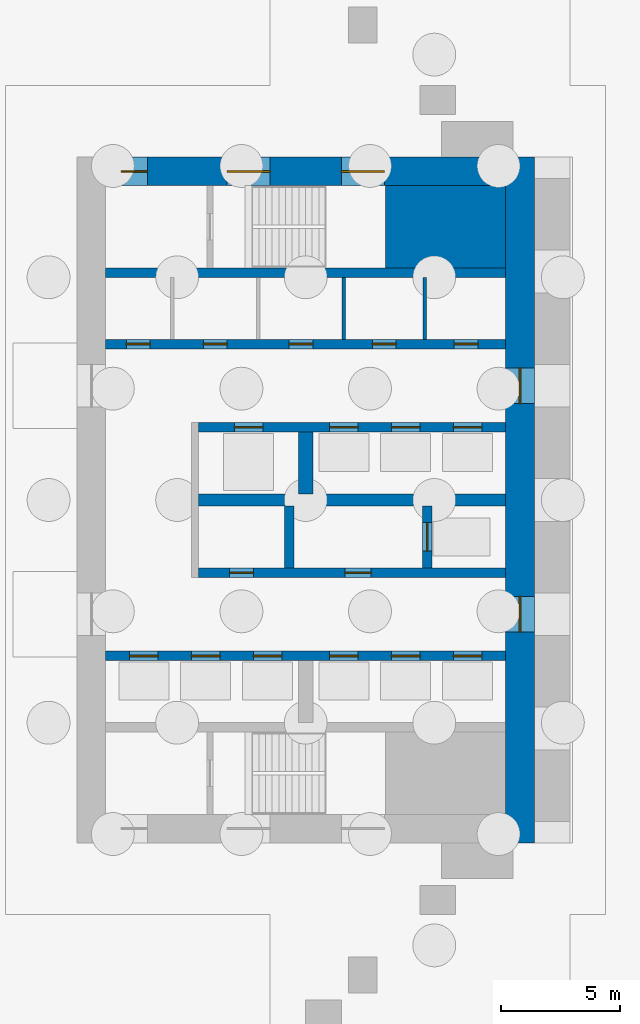
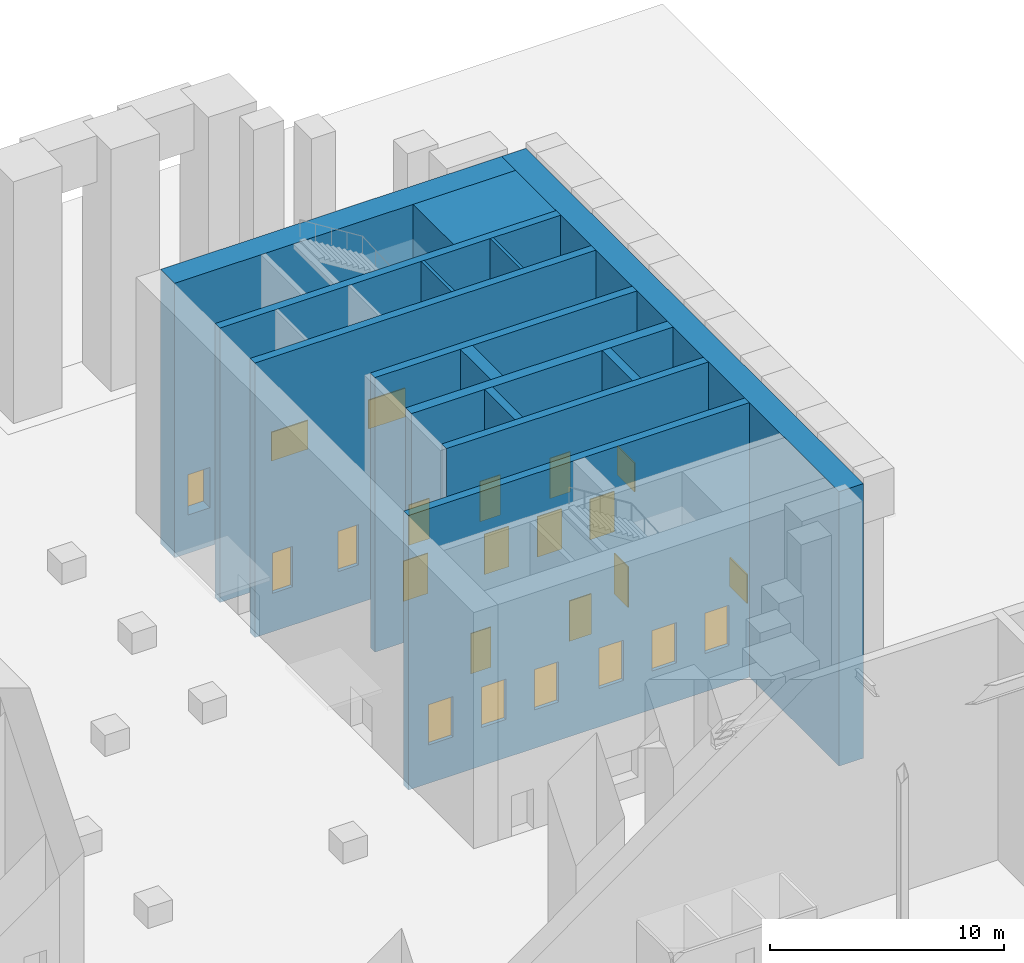
# One storey, part 48 of 58: 19 doors, 14 walls, 4 windows, 23 openings.
"""IFC4 building model written with IfcOpenShell, lengths in metres."""

import ifcopenshell
import ifcopenshell.guid

model = None  # the IFC model being written
_history = None  # IfcOwnerHistory: only IFC2X3 demands one
_inside = {}  # id of a spatial element -> (the spatial element, [elements in it])
_under = {}  # id of a project, library or spatial element -> (it, [spatial elements below it])
_declared = {}  # id of a project -> (the project, [libraries it declares])
_typed = {}  # id of a type object -> (the type object, [elements of that type])
_made_of = {}  # id of a material, layer set ... -> (it, [elements and type objects made of it])


def new_model(schema):
    """Start an empty IFC model of exactly this schema.

    Asked for "IFC4X3", IfcOpenShell would pick the latest addendum, in which some entities
    have other attributes; the version numbers below select the first issue.
    IFC2X3 requires an IfcOwnerHistory on every rooted entity: one is made here for all.
    """
    global model, _history
    if schema == "IFC4X3":
        model = ifcopenshell.file(schema_version=(4, 3, 0, 0))
    else:
        model = ifcopenshell.file(schema=schema)
    _inside.clear()
    _under.clear()
    _declared.clear()
    _typed.clear()
    _made_of.clear()
    _history = None
    if model.schema == "IFC2X3":
        org = make("IfcOrganization", Name="unknown")
        user = make(
            "IfcPersonAndOrganization",
            ThePerson=make("IfcPerson", FamilyName="unknown"),
            TheOrganization=org,
        )
        app = make(
            "IfcApplication",
            ApplicationDeveloper=org,
            Version="unknown",
            ApplicationFullName="unknown",
            ApplicationIdentifier="unknown",
        )
        _history = make(
            "IfcOwnerHistory",
            OwningUser=user,
            OwningApplication=app,
            ChangeAction="ADDED",
            CreationDate=0,
        )
    return model


def make(cls, **values):
    """One entity of the class cls with the attributes given. An attribute that is None is left unset."""
    return model.create_entity(
        cls, **{name: value for name, value in values.items() if value is not None}
    )


def rooted(cls, **values):
    """An entity with a GlobalId (a new one), such as an element, a storey or a relation."""
    return make(cls, GlobalId=ifcopenshell.guid.new(), OwnerHistory=_history, **values)


def si_unit(unit_type, name, prefix=None):
    """IfcSIUnit, for example si_unit("LENGTHUNIT", "METRE", prefix="MILLI")."""
    return make("IfcSIUnit", UnitType=unit_type, Prefix=prefix, Name=name)


def assignment(units):
    """IfcUnitAssignment: the units of a project."""
    return None if units is None else make("IfcUnitAssignment", Units=units)


def point(xyz):
    """IfcCartesianPoint."""
    return None if xyz is None else make("IfcCartesianPoint", Coordinates=xyz)


def direction(xyz):
    """IfcDirection."""
    return None if xyz is None else make("IfcDirection", DirectionRatios=xyz)


def frame(location, z_axis=None, x_axis=None):
    """IfcAxis2Placement3D, a coordinate frame: its origin and axes. An axis left out is left unset."""
    return make(
        "IfcAxis2Placement3D",
        Location=point(location),
        Axis=direction(z_axis),
        RefDirection=direction(x_axis),
    )


def frame_2d(location, x_axis=None):
    """IfcAxis2Placement2D, a coordinate frame in the plane: its origin and x axis."""
    return make(
        "IfcAxis2Placement2D", Location=point(location), RefDirection=direction(x_axis)
    )


def origin():
    """The frame at (0, 0, 0) with its axes left unset."""
    return frame((0.0, 0.0, 0.0))


def place(relative_to, where):
    """IfcLocalPlacement: puts the frame where relative to a parent placement (None: the world)."""
    return make(
        "IfcLocalPlacement", PlacementRelTo=relative_to, RelativePlacement=where
    )


def context(
    kind, dimensions, precision=None, world=None, true_north=None, identifier=None
):
    """IfcGeometricRepresentationContext, for example the 3D "Model" context."""
    return make(
        "IfcGeometricRepresentationContext",
        ContextIdentifier=identifier,
        ContextType=kind,
        CoordinateSpaceDimension=dimensions,
        Precision=precision,
        WorldCoordinateSystem=world,
        TrueNorth=true_north,
    )


def subcontext(parent, identifier, kind, view, scale=None):
    """IfcGeometricRepresentationSubContext, for example "Body" below "Model"."""
    return make(
        "IfcGeometricRepresentationSubContext",
        ContextIdentifier=identifier,
        ContextType=kind,
        ParentContext=parent,
        TargetScale=scale,
        TargetView=view,
    )


def project(units=None, contexts=None):
    """IfcProject with its units and contexts."""
    return rooted(
        "IfcProject",
        Name="project",
        RepresentationContexts=contexts,
        UnitsInContext=assignment(units),
    )


def spatial(cls, under=None, at=None, **own):
    """A site, building, storey or space (cls), placed at a placement, below another one or the project."""
    s = rooted(cls, ObjectPlacement=at, **own)
    if under is not None:
        _under.setdefault(under.id(), (under, []))[1].append(s)
    return s


def profile(cls, at=None, kind="AREA", **sizes):
    """A parametric profile (cls). Its sizes go by their IFC names, for example OverallWidth=200.0."""
    return make(cls, ProfileType=kind, Position=at, **sizes)


def rectangle(**sizes):
    """IfcRectangleProfileDef."""
    return profile("IfcRectangleProfileDef", **sizes)


def extrude(swept, where, along, depth):
    """IfcExtrudedAreaSolid: the profile swept, set in the frame where, extruded along a direction by depth."""
    return make(
        "IfcExtrudedAreaSolid",
        SweptArea=swept,
        Position=where,
        ExtrudedDirection=direction(along),
        Depth=depth,
    )


def shape(context_of_items, identifier, shape_type, items):
    """IfcShapeRepresentation: the items that make up one representation, for example the "Body"."""
    return make(
        "IfcShapeRepresentation",
        ContextOfItems=context_of_items,
        RepresentationIdentifier=identifier,
        RepresentationType=shape_type,
        Items=items,
    )


def material(Name=None, Category=None):
    """IfcMaterial."""
    return make("IfcMaterial", Name=Name, Category=Category)


def layer(
    of_material, thickness, ventilated=None, Name=None, Category=None, Priority=None
):
    """IfcMaterialLayer: one layer of a wall or slab, of a material (None: an air gap)."""
    return make(
        "IfcMaterialLayer",
        Material=of_material,
        LayerThickness=thickness,
        IsVentilated=ventilated,
        Name=Name,
        Category=Category,
        Priority=Priority,
    )


def layer_set(layers, Name=None):
    """IfcMaterialLayerSet."""
    return make("IfcMaterialLayerSet", MaterialLayers=layers, LayerSetName=Name)


def made_of(thing, what):
    """Note that an element or type object is made of a material, layer set ...; save() writes the relation."""
    if what is not None:
        _made_of.setdefault(what.id(), (what, []))[1].append(thing)
    return thing


def type_object(cls, material=None, **own):
    """A type object (cls), such as IfcWallType, which elements share."""
    return made_of(rooted(cls, **own), material)


def element(
    cls,
    number,
    at=None,
    inside=None,
    cuts=None,
    type_object=None,
    material=None,
    context=None,
    identifier="Body",
    shape_type=None,
    held_by="IfcProductDefinitionShape",
    body=None,
    shapes=None,
    **own,
):
    """One element of the class cls, such as IfcWall. Its Tag is "e" and its number.

    at: its placement. inside: the storey or other place that contains it. cuts: it is an
    opening in that element (IfcRelVoidsElement). A single representation is given by context,
    identifier, shape_type and body (its items); several are given by shapes. held_by: the class
    of the entity that holds the representations. save() writes the other relations.
    """
    e = rooted(cls, Tag="e%d" % number, ObjectPlacement=at, **own)
    if body is not None:
        shapes = [shape(context, identifier, shape_type, body)]
    if shapes is not None:
        e.Representation = make(held_by, Representations=shapes)
    if inside is not None:
        _inside.setdefault(inside.id(), (inside, []))[1].append(e)
    if cuts is not None:
        rooted(
            "IfcRelVoidsElement", RelatingBuildingElement=cuts, RelatedOpeningElement=e
        )
    if type_object is not None:
        _typed.setdefault(type_object.id(), (type_object, []))[1].append(e)
    return made_of(e, material)


def fill(opening, filler):
    """IfcRelFillsElement: the door or window that sits in an opening."""
    return rooted(
        "IfcRelFillsElement",
        RelatingOpeningElement=opening,
        RelatedBuildingElement=filler,
    )


def aggregate(whole, parts):
    """IfcRelAggregates: a whole, such as a stair, and the parts it consists of."""
    return rooted("IfcRelAggregates", RelatingObject=whole, RelatedObjects=parts)


def save(model, path):
    """Write the relations noted so far, then the file.

    IfcRelAggregates (storeys below a building ...), IfcRelContainedInSpatialStructure (elements
    in a storey), IfcRelDefinesByType, IfcRelAssociatesMaterial and IfcRelDeclares: one each for
    every whole, place, type object, material and project.
    """
    for whole, parts in _under.values():
        aggregate(whole, parts)
    for where, things in _inside.values():
        rooted(
            "IfcRelContainedInSpatialStructure",
            RelatedElements=things,
            RelatingStructure=where,
        )
    for kind, things in _typed.values():
        rooted("IfcRelDefinesByType", RelatedObjects=things, RelatingType=kind)
    for what, things in _made_of.values():
        rooted("IfcRelAssociatesMaterial", RelatedObjects=things, RelatingMaterial=what)
    for by, libraries in _declared.values():
        rooted("IfcRelDeclares", RelatingContext=by, RelatedDefinitions=libraries)
    model.write(path)


model = new_model("IFC4")

# Units and contexts
model_context = context("Model", 3, precision=1e-05, world=origin(), true_north=direction((0.0, 1.0)))
body_context = subcontext(model_context, "Body", "Model", "MODEL_VIEW")
ifc_project = project(units=[si_unit("LENGTHUNIT", "METRE"), si_unit("AREAUNIT", "SQUARE_METRE"), si_unit("VOLUMEUNIT", "CUBIC_METRE"), si_unit("PLANEANGLEUNIT", "RADIAN"), si_unit("MASSUNIT", "GRAM", prefix="KILO")], contexts=[model_context])

# Site, building, storey
site_placement = place(None, origin())
site = spatial("IfcSite", under=ifc_project, at=site_placement, CompositionType="ELEMENT")
building_placement = place(site_placement, origin())
building = spatial("IfcBuilding", under=site, at=building_placement, Name="Baori Bourse Tower", CompositionType="ELEMENT")
storey_placement = place(building_placement, origin())
storey = spatial("IfcBuildingStorey", under=building, at=storey_placement, Name="L00", CompositionType="ELEMENT", Elevation=0.0)

# Walls
ifc_material_1 = material(Name="Concrete f'c 70 MPa", Category="concrete")
wall_type_1 = type_object("IfcWallType", Name="Core corner block f'c 70", PredefinedType="SHEAR", material=ifc_material_1)
wall_1_placement = place(storey_placement, frame((51.35009765625, 35.47509765625, -2.0), z_axis=(0.0, 0.0, 1.0), x_axis=(1.0, 0.0, 0.0)))
element("IfcWall", 1, at=wall_1_placement, inside=storey, type_object=wall_type_1, Name="Core wall E22", PredefinedType="SHEAR", context=body_context, shape_type="SweptSolid", body=[
    extrude(rectangle(XDim=5.0498046875, YDim=3.449951171875, at=frame_2d((2.52490234375, 0.0))), origin(), (0.0, 0.0, 1.0), 14.300048828125),
])
ifc_material_2 = material(Name="Blockwork partition", Category="masonry")
ifc_layer_1 = layer(ifc_material_2, 0.14990234375)
ifc_layer_set_1 = layer_set([ifc_layer_1], Name="Core partition 150")
wall_type_2 = type_object("IfcWallType", Name="Core partition 150", PredefinedType="PARTITIONING", material=ifc_layer_set_1)
for number, where, z_axis, x_axis, name in (
    (2, (53.0, 30.75, 0.0), (0.0, 0.0, 1.0), (0.0, 1.0, 0.0), "Partition wall E17"),
    (3, (49.60009765625, 30.75, 0.0), (0.0, 0.0, 1.0), (0.0, 1.0, 0.0), "Partition wall E18"),
):
    element("IfcWall", number, at=place(storey_placement, frame(where, z_axis=z_axis, x_axis=x_axis)), inside=storey, type_object=wall_type_2, Name=name, PredefinedType="PARTITIONING", context=body_context, shape_type="SweptSolid", body=[
        extrude(rectangle(XDim=2.60009765625, YDim=0.14990234375, at=frame_2d((1.300048828125, 0.0))), origin(), (0.0, 0.0, 1.0), 12.300048828125),
    ])

# Wall, openings, windows
ifc_material_3 = material(Name="Concrete f'c 70 MPa", Category="concrete")
ifc_layer_2 = layer(ifc_material_3, 1.199951171875)
ifc_layer_set_2 = layer_set([ifc_layer_2], Name="Core wall 1200 f'c 70")
wall_type_3 = type_object("IfcWallType", Name="Core wall 1200 f'c 70", PredefinedType="SHEAR", material=ifc_layer_set_2)
wall_2_placement = place(storey_placement, frame((57.0, 38.39990234375, -2.0), z_axis=(0.0, 0.0, 1.0), x_axis=(0.0, -1.0, 0.0)))
wall_2 = element("IfcWall", 4, at=wall_2_placement, inside=storey, type_object=wall_type_3, Name="Core wall E01", PredefinedType="SHEAR", context=body_context, shape_type="SweptSolid", body=[
    extrude(rectangle(XDim=28.7998046875, YDim=1.199951171875, at=frame_2d((14.39990234375, 0.0))), origin(), (0.0, 0.0, 1.0), 14.300048828125),
])
opening_1_placement = place(wall_2_placement, frame((18.449951171875, 0.0, 2.89990234375)))
opening_1 = element("IfcOpeningElement", 5, at=opening_1_placement, cuts=wall_2, Name="Opening L00-KW201", PredefinedType="OPENING", context=body_context, shape_type="SweptSolid", body=[
    extrude(rectangle(XDim=1.5, YDim=1.5, at=frame_2d((0.75, 0.75))), frame((0.0, 0.60986328125, 0.0), z_axis=(0.0, -1.0, 0.0), x_axis=(1.0, 0.0, 0.0)), (0.0, 0.0, 1.0), 1.219970703125),
])
opening_2_placement = place(wall_2_placement, frame((8.85009765625, 0.0, 2.89990234375)))
opening_2 = element("IfcOpeningElement", 6, at=opening_2_placement, cuts=wall_2, Name="Opening L00-KW202", PredefinedType="OPENING", context=body_context, shape_type="SweptSolid", body=[
    extrude(rectangle(XDim=1.5, YDim=1.5, at=frame_2d((0.75, 0.75))), frame((0.0, 0.60986328125, 0.0), z_axis=(0.0, -1.0, 0.0), x_axis=(1.0, 0.0, 0.0)), (0.0, 0.0, 1.0), 1.219970703125),
])
ifc_material_4 = material(Name="Pale anodised aluminium", Category="aluminium")
window_type_1 = type_object("IfcWindowType", Name="Lobby window 1500 x 1500", PartitioningType="SINGLE_PANEL", PredefinedType="WINDOW", material=ifc_material_4)
window_1_placement = place(opening_1_placement, origin())
window_1 = element("IfcWindow", 7, at=window_1_placement, inside=storey, type_object=window_type_1, Name="Outer wall window E L00 1", OverallHeight=1.5, OverallWidth=1.5, PartitioningType="SINGLE_PANEL", PredefinedType="WINDOW", context=body_context, shape_type="SweptSolid", body=[
    extrude(rectangle(XDim=1.5, YDim=1.5, at=frame_2d((0.75, 0.75))), frame((0.0, 0.030029296875, 0.0), z_axis=(0.0, -1.0, 0.0), x_axis=(1.0, 0.0, 0.0)), (0.0, 0.0, 1.0), 0.06005859375),
])
fill(opening_1, window_1)
window_2_placement = place(opening_2_placement, origin())
window_2 = element("IfcWindow", 8, at=window_2_placement, inside=storey, type_object=window_type_1, Name="Outer wall window E L00 2", OverallHeight=1.5, OverallWidth=1.5, PartitioningType="SINGLE_PANEL", PredefinedType="WINDOW", context=body_context, shape_type="SweptSolid", body=[
    extrude(rectangle(XDim=1.5, YDim=1.5, at=frame_2d((0.75, 0.75))), frame((0.0, 0.030029296875, 0.0), z_axis=(0.0, -1.0, 0.0), x_axis=(1.0, 0.0, 0.0)), (0.0, 0.0, 1.0), 0.06005859375),
])
fill(opening_2, window_2)

# Wall, openings, door, windows
wall_3_placement = place(storey_placement, frame((39.60009765625, 37.800048828125, -2.0), z_axis=(0.0, 0.0, 1.0), x_axis=(1.0, 0.0, 0.0)))
wall_3 = element("IfcWall", 9, at=wall_3_placement, inside=storey, type_object=wall_type_3, Name="Core wall E24", PredefinedType="SHEAR", context=body_context, shape_type="SweptSolid", body=[
    extrude(rectangle(XDim=16.7998046875, YDim=1.199951171875, at=frame_2d((8.39990234375, 0.0))), origin(), (0.0, 0.0, 1.0), 14.300048828125),
])
opening_3_placement = place(wall_3_placement, frame((0.64990234375, 0.0, 2.0)))
opening_3 = element("IfcOpeningElement", 10, at=opening_3_placement, cuts=wall_3, Name="Opening L00-D204", PredefinedType="OPENING", context=body_context, shape_type="SweptSolid", body=[
    extrude(rectangle(XDim=1.10009765625, YDim=2.10009765625, at=frame_2d((0.550048828125, 1.050048828125))), frame((0.0, 0.60986328125, 0.0), z_axis=(0.0, -1.0, 0.0), x_axis=(1.0, 0.0, 0.0)), (0.0, 0.0, 1.0), 1.219970703125),
])
opening_4_placement = place(wall_3_placement, frame((9.89990234375, 0.0, 2.89990234375)))
opening_4 = element("IfcOpeningElement", 11, at=opening_4_placement, cuts=wall_3, Name="Opening L00-KW205", PredefinedType="OPENING", context=body_context, shape_type="SweptSolid", body=[
    extrude(rectangle(XDim=1.800048828125, YDim=1.5, at=frame_2d((0.89990234375, 0.75))), frame((0.0, 0.60986328125, 0.0), z_axis=(0.0, -1.0, 0.0), x_axis=(1.0, 0.0, 0.0)), (0.0, 0.0, 1.0), 1.219970703125),
])
opening_5_placement = place(wall_3_placement, frame((5.10009765625, 0.0, 2.89990234375)))
opening_5 = element("IfcOpeningElement", 12, at=opening_5_placement, cuts=wall_3, Name="Opening L00-KW206", PredefinedType="OPENING", context=body_context, shape_type="SweptSolid", body=[
    extrude(rectangle(XDim=1.800048828125, YDim=1.5, at=frame_2d((0.89990234375, 0.75))), frame((0.0, 0.60986328125, 0.0), z_axis=(0.0, -1.0, 0.0), x_axis=(1.0, 0.0, 0.0)), (0.0, 0.0, 1.0), 1.219970703125),
])
ifc_material_5 = material(Name="Painted steel door", Category="steel")
door_type_1 = type_object("IfcDoorType", Name="Stair door 1100", OperationType="SINGLE_SWING_LEFT", PredefinedType="DOOR", material=ifc_material_5)
door_1_placement = place(opening_3_placement, origin())
door_1 = element("IfcDoor", 13, at=door_1_placement, inside=storey, type_object=door_type_1, Name="Stair vestibule door B E L00", OperationType="SINGLE_SWING_LEFT", OverallHeight=2.10009765625, OverallWidth=1.10009765625, PredefinedType="DOOR", context=body_context, shape_type="SweptSolid", body=[
    extrude(rectangle(XDim=1.10009765625, YDim=2.10009765625, at=frame_2d((0.550048828125, 1.050048828125))), frame((0.0, 0.02490234375, 0.0), z_axis=(0.0, -1.0, 0.0), x_axis=(1.0, 0.0, 0.0)), (0.0, 0.0, 1.0), 0.050048828125),
])
fill(opening_3, door_1)
ifc_material_6 = material(Name="Pale anodised aluminium", Category="aluminium")
window_type_2 = type_object("IfcWindowType", Name="Stair window 1800 x 1500", PartitioningType="SINGLE_PANEL", PredefinedType="WINDOW", material=ifc_material_6)
window_3_placement = place(opening_4_placement, origin())
window_3 = element("IfcWindow", 14, at=window_3_placement, inside=storey, type_object=window_type_2, Name="Stair window E L00 5", OverallHeight=1.5, OverallWidth=1.800048828125, PartitioningType="SINGLE_PANEL", PredefinedType="WINDOW", context=body_context, shape_type="SweptSolid", body=[
    extrude(rectangle(XDim=1.800048828125, YDim=1.5, at=frame_2d((0.89990234375, 0.75))), frame((0.0, 0.030029296875, 0.0), z_axis=(0.0, -1.0, 0.0), x_axis=(1.0, 0.0, 0.0)), (0.0, 0.0, 1.0), 0.06005859375),
])
fill(opening_4, window_3)
window_4_placement = place(opening_5_placement, origin())
window_4 = element("IfcWindow", 15, at=window_4_placement, inside=storey, type_object=window_type_2, Name="Stair window E L00 6", OverallHeight=1.5, OverallWidth=1.800048828125, PartitioningType="SINGLE_PANEL", PredefinedType="WINDOW", context=body_context, shape_type="SweptSolid", body=[
    extrude(rectangle(XDim=1.800048828125, YDim=1.5, at=frame_2d((0.89990234375, 0.75))), frame((0.0, 0.030029296875, 0.0), z_axis=(0.0, -1.0, 0.0), x_axis=(1.0, 0.0, 0.0)), (0.0, 0.0, 1.0), 0.06005859375),
])
fill(opening_5, window_4)

# Wall, openings, doors
ifc_material_7 = material(Name="Concrete f'c 70 MPa", Category="concrete")
ifc_layer_3 = layer(ifc_material_7, 0.39990234375)
ifc_layer_set_3 = layer_set([ifc_layer_3], Name="Shaft wall 400 f'c 70")
wall_type_4 = type_object("IfcWallType", Name="Shaft wall 400 f'c 70", PredefinedType="SHEAR", material=ifc_layer_set_3)
wall_4_placement = place(storey_placement, frame((39.60009765625, 17.449951171875, -2.0), z_axis=(0.0, 0.0, 1.0), x_axis=(1.0, 0.0, 0.0)))
wall_4 = element("IfcWall", 16, at=wall_4_placement, inside=storey, type_object=wall_type_4, Name="Core wall E08", PredefinedType="SHEAR", context=body_context, shape_type="SweptSolid", body=[
    extrude(rectangle(XDim=16.7998046875, YDim=0.39990234375, at=frame_2d((8.39990234375, 0.0))), origin(), (0.0, 0.0, 1.0), 14.300048828125),
])
opening_6_placement = place(wall_4_placement, frame((14.60009765625, 0.0, 2.0)))
opening_6 = element("IfcOpeningElement", 17, at=opening_6_placement, cuts=wall_4, Name="Opening L00-D214", PredefinedType="OPENING", context=body_context, shape_type="SweptSolid", body=[
    extrude(rectangle(XDim=1.199951171875, YDim=2.10009765625, at=frame_2d((0.60009765625, 1.050048828125))), frame((0.0, 0.2099609375, 0.0), z_axis=(0.0, -1.0, 0.0), x_axis=(1.0, 0.0, 0.0)), (0.0, 0.0, 1.0), 0.419921875),
])
opening_7_placement = place(wall_4_placement, frame((12.0, 0.0, 2.0)))
opening_7 = element("IfcOpeningElement", 18, at=opening_7_placement, cuts=wall_4, Name="Opening L00-D215", PredefinedType="OPENING", context=body_context, shape_type="SweptSolid", body=[
    extrude(rectangle(XDim=1.199951171875, YDim=2.10009765625, at=frame_2d((0.60009765625, 1.050048828125))), frame((0.0, 0.2099609375, 0.0), z_axis=(0.0, -1.0, 0.0), x_axis=(1.0, 0.0, 0.0)), (0.0, 0.0, 1.0), 0.419921875),
])
opening_8_placement = place(wall_4_placement, frame((9.39990234375, 0.0, 2.0)))
opening_8 = element("IfcOpeningElement", 19, at=opening_8_placement, cuts=wall_4, Name="Opening L00-D216", PredefinedType="OPENING", context=body_context, shape_type="SweptSolid", body=[
    extrude(rectangle(XDim=1.199951171875, YDim=2.10009765625, at=frame_2d((0.60009765625, 1.050048828125))), frame((0.0, 0.2099609375, 0.0), z_axis=(0.0, -1.0, 0.0), x_axis=(1.0, 0.0, 0.0)), (0.0, 0.0, 1.0), 0.419921875),
])
opening_9_placement = place(wall_4_placement, frame((6.199951171875, 0.0, 2.0)))
opening_9 = element("IfcOpeningElement", 20, at=opening_9_placement, cuts=wall_4, Name="Opening L00-D217", PredefinedType="OPENING", context=body_context, shape_type="SweptSolid", body=[
    extrude(rectangle(XDim=1.199951171875, YDim=2.10009765625, at=frame_2d((0.60009765625, 1.050048828125))), frame((0.0, 0.2099609375, 0.0), z_axis=(0.0, -1.0, 0.0), x_axis=(1.0, 0.0, 0.0)), (0.0, 0.0, 1.0), 0.419921875),
])
opening_10_placement = place(wall_4_placement, frame((3.60009765625, 0.0, 2.0)))
opening_10 = element("IfcOpeningElement", 21, at=opening_10_placement, cuts=wall_4, Name="Opening L00-D218", PredefinedType="OPENING", context=body_context, shape_type="SweptSolid", body=[
    extrude(rectangle(XDim=1.199951171875, YDim=2.10009765625, at=frame_2d((0.60009765625, 1.050048828125))), frame((0.0, 0.2099609375, 0.0), z_axis=(0.0, -1.0, 0.0), x_axis=(1.0, 0.0, 0.0)), (0.0, 0.0, 1.0), 0.419921875),
])
opening_11_placement = place(wall_4_placement, frame((1.0, 0.0, 2.0)))
opening_11 = element("IfcOpeningElement", 22, at=opening_11_placement, cuts=wall_4, Name="Opening L00-D219", PredefinedType="OPENING", context=body_context, shape_type="SweptSolid", body=[
    extrude(rectangle(XDim=1.199951171875, YDim=2.10009765625, at=frame_2d((0.60009765625, 1.050048828125))), frame((0.0, 0.2099609375, 0.0), z_axis=(0.0, -1.0, 0.0), x_axis=(1.0, 0.0, 0.0)), (0.0, 0.0, 1.0), 0.419921875),
])
ifc_material_8 = material(Name="Stainless steel door", Category="steel")
door_type_2 = type_object("IfcDoorType", Name="Lift landing door", OperationType="DOUBLE_DOOR_SLIDING", PredefinedType="DOOR", material=ifc_material_8)
door_2_placement = place(opening_6_placement, origin())
door_2 = element("IfcDoor", 23, at=door_2_placement, inside=storey, type_object=door_type_2, Name="Lift landing door LR1 E L00", OperationType="DOUBLE_DOOR_SLIDING", OverallHeight=2.10009765625, OverallWidth=1.199951171875, PredefinedType="DOOR", context=body_context, shape_type="SweptSolid", body=[
    extrude(rectangle(XDim=1.199951171875, YDim=2.10009765625, at=frame_2d((0.60009765625, 1.050048828125))), frame((0.0, 0.02490234375, 0.0), z_axis=(0.0, -1.0, 0.0), x_axis=(1.0, 0.0, 0.0)), (0.0, 0.0, 1.0), 0.050048828125),
])
fill(opening_6, door_2)
door_3_placement = place(opening_7_placement, origin())
door_3 = element("IfcDoor", 24, at=door_3_placement, inside=storey, type_object=door_type_2, Name="Lift landing door LR2 E L00", OperationType="DOUBLE_DOOR_SLIDING", OverallHeight=2.10009765625, OverallWidth=1.199951171875, PredefinedType="DOOR", context=body_context, shape_type="SweptSolid", body=[
    extrude(rectangle(XDim=1.199951171875, YDim=2.10009765625, at=frame_2d((0.60009765625, 1.050048828125))), frame((0.0, 0.02490234375, 0.0), z_axis=(0.0, -1.0, 0.0), x_axis=(1.0, 0.0, 0.0)), (0.0, 0.0, 1.0), 0.050048828125),
])
fill(opening_7, door_3)
door_4_placement = place(opening_8_placement, origin())
door_4 = element("IfcDoor", 25, at=door_4_placement, inside=storey, type_object=door_type_2, Name="Lift landing door LR3 E L00", OperationType="DOUBLE_DOOR_SLIDING", OverallHeight=2.10009765625, OverallWidth=1.199951171875, PredefinedType="DOOR", context=body_context, shape_type="SweptSolid", body=[
    extrude(rectangle(XDim=1.199951171875, YDim=2.10009765625, at=frame_2d((0.60009765625, 1.050048828125))), frame((0.0, 0.02490234375, 0.0), z_axis=(0.0, -1.0, 0.0), x_axis=(1.0, 0.0, 0.0)), (0.0, 0.0, 1.0), 0.050048828125),
])
fill(opening_8, door_4)
door_5_placement = place(opening_9_placement, origin())
door_5 = element("IfcDoor", 26, at=door_5_placement, inside=storey, type_object=door_type_2, Name="Lift landing door LR4 E L00", OperationType="DOUBLE_DOOR_SLIDING", OverallHeight=2.10009765625, OverallWidth=1.199951171875, PredefinedType="DOOR", context=body_context, shape_type="SweptSolid", body=[
    extrude(rectangle(XDim=1.199951171875, YDim=2.10009765625, at=frame_2d((0.60009765625, 1.050048828125))), frame((0.0, 0.02490234375, 0.0), z_axis=(0.0, -1.0, 0.0), x_axis=(1.0, 0.0, 0.0)), (0.0, 0.0, 1.0), 0.050048828125),
])
fill(opening_9, door_5)
door_6_placement = place(opening_10_placement, origin())
door_6 = element("IfcDoor", 27, at=door_6_placement, inside=storey, type_object=door_type_2, Name="Lift landing door LR5 E L00", OperationType="DOUBLE_DOOR_SLIDING", OverallHeight=2.10009765625, OverallWidth=1.199951171875, PredefinedType="DOOR", context=body_context, shape_type="SweptSolid", body=[
    extrude(rectangle(XDim=1.199951171875, YDim=2.10009765625, at=frame_2d((0.60009765625, 1.050048828125))), frame((0.0, 0.02490234375, 0.0), z_axis=(0.0, -1.0, 0.0), x_axis=(1.0, 0.0, 0.0)), (0.0, 0.0, 1.0), 0.050048828125),
])
fill(opening_10, door_6)
door_7_placement = place(opening_11_placement, origin())
door_7 = element("IfcDoor", 28, at=door_7_placement, inside=storey, type_object=door_type_2, Name="Lift landing door LR6 E L00", OperationType="DOUBLE_DOOR_SLIDING", OverallHeight=2.10009765625, OverallWidth=1.199951171875, PredefinedType="DOOR", context=body_context, shape_type="SweptSolid", body=[
    extrude(rectangle(XDim=1.199951171875, YDim=2.10009765625, at=frame_2d((0.60009765625, 1.050048828125))), frame((0.0, 0.02490234375, 0.0), z_axis=(0.0, -1.0, 0.0), x_axis=(1.0, 0.0, 0.0)), (0.0, 0.0, 1.0), 0.050048828125),
])
fill(opening_11, door_7)

wall_5_placement = place(storey_placement, frame((43.5, 20.949951171875, -2.0), z_axis=(0.0, 0.0, 1.0), x_axis=(1.0, 0.0, 0.0)))
wall_5 = element("IfcWall", 29, at=wall_5_placement, inside=storey, type_object=wall_type_4, Name="Core wall E09", PredefinedType="SHEAR", context=body_context, shape_type="SweptSolid", body=[
    extrude(rectangle(XDim=12.89990234375, YDim=0.39990234375, at=frame_2d((6.449951171875, 0.0))), origin(), (0.0, 0.0, 1.0), 14.300048828125),
])
opening_12_placement = place(wall_5_placement, frame((6.14990234375, 0.0, 2.0)))
opening_12 = element("IfcOpeningElement", 30, at=opening_12_placement, cuts=wall_5, Name="Opening L00-D205", PredefinedType="OPENING", context=body_context, shape_type="SweptSolid", body=[
    extrude(rectangle(XDim=1.10009765625, YDim=2.10009765625, at=frame_2d((0.550048828125, 1.050048828125))), frame((0.0, 0.2099609375, 0.0), z_axis=(0.0, -1.0, 0.0), x_axis=(1.0, 0.0, 0.0)), (0.0, 0.0, 1.0), 0.419921875),
])
opening_13_placement = place(wall_5_placement, frame((1.300048828125, 0.0, 2.0)))
opening_13 = element("IfcOpeningElement", 31, at=opening_13_placement, cuts=wall_5, Name="Opening L00-D206", PredefinedType="OPENING", context=body_context, shape_type="SweptSolid", body=[
    extrude(rectangle(XDim=1.0, YDim=2.10009765625, at=frame_2d((0.5, 1.050048828125))), frame((0.0, 0.2099609375, 0.0), z_axis=(0.0, -1.0, 0.0), x_axis=(1.0, 0.0, 0.0)), (0.0, 0.0, 1.0), 0.419921875),
])
ifc_material_9 = material(Name="Painted steel door", Category="steel")
door_type_3 = type_object("IfcDoorType", Name="Lobby door 1100", OperationType="SINGLE_SWING_LEFT", PredefinedType="DOOR", material=ifc_material_9)
door_8_placement = place(opening_12_placement, origin())
door_8 = element("IfcDoor", 32, at=door_8_placement, inside=storey, type_object=door_type_3, Name="Firefighting lobby door E L00", OperationType="SINGLE_SWING_LEFT", OverallHeight=2.10009765625, OverallWidth=1.10009765625, PredefinedType="DOOR", context=body_context, shape_type="SweptSolid", body=[
    extrude(rectangle(XDim=1.10009765625, YDim=2.10009765625, at=frame_2d((0.550048828125, 1.050048828125))), frame((0.0, 0.02490234375, 0.0), z_axis=(0.0, -1.0, 0.0), x_axis=(1.0, 0.0, 0.0)), (0.0, 0.0, 1.0), 0.050048828125),
])
fill(opening_12, door_8)
ifc_material_10 = material(Name="Painted steel door", Category="steel")
door_type_4 = type_object("IfcDoorType", Name="Shaft door 1000", OperationType="SINGLE_SWING_LEFT", PredefinedType="DOOR", material=ifc_material_10)
door_9_placement = place(opening_13_placement, origin())
door_9 = element("IfcDoor", 33, at=door_9_placement, inside=storey, type_object=door_type_4, Name="Riser room door E L00", OperationType="SINGLE_SWING_LEFT", OverallHeight=2.10009765625, OverallWidth=1.0, PredefinedType="DOOR", context=body_context, shape_type="SweptSolid", body=[
    extrude(rectangle(XDim=1.0, YDim=2.10009765625, at=frame_2d((0.5, 1.050048828125))), frame((0.0, 0.02490234375, 0.0), z_axis=(0.0, -1.0, 0.0), x_axis=(1.0, 0.0, 0.0)), (0.0, 0.0, 1.0), 0.050048828125),
])
fill(opening_13, door_9)

# Wall, opening, door
wall_6_placement = place(storey_placement, frame((53.10009765625, 21.14990234375, -2.0), z_axis=(0.0, 0.0, 1.0), x_axis=(0.0, 1.0, 0.0)))
wall_6 = element("IfcWall", 34, at=wall_6_placement, inside=storey, type_object=wall_type_4, Name="Core wall E11", PredefinedType="SHEAR", context=body_context, shape_type="SweptSolid", body=[
    extrude(rectangle(XDim=2.60009765625, YDim=0.39990234375, at=frame_2d((1.300048828125, 0.0))), origin(), (0.0, 0.0, 1.0), 14.300048828125),
])
opening_14_placement = place(wall_6_placement, frame((0.699951171875, 0.0, 2.0)))
opening_14 = element("IfcOpeningElement", 35, at=opening_14_placement, cuts=wall_6, Name="Opening L00-D224", PredefinedType="OPENING", context=body_context, shape_type="SweptSolid", body=[
    extrude(rectangle(XDim=1.199951171875, YDim=2.10009765625, at=frame_2d((0.60009765625, 1.050048828125))), frame((0.0, 0.2099609375, 0.0), z_axis=(0.0, -1.0, 0.0), x_axis=(1.0, 0.0, 0.0)), (0.0, 0.0, 1.0), 0.419921875),
])
door_10_placement = place(opening_14_placement, origin())
door_10 = element("IfcDoor", 36, at=door_10_placement, inside=storey, type_object=door_type_2, Name="Lift landing door FF2 E L00", OperationType="DOUBLE_DOOR_SLIDING", OverallHeight=2.10009765625, OverallWidth=1.199951171875, PredefinedType="DOOR", context=body_context, shape_type="SweptSolid", body=[
    extrude(rectangle(XDim=1.199951171875, YDim=2.10009765625, at=frame_2d((0.60009765625, 1.050048828125))), frame((0.0, 0.02490234375, 0.0), z_axis=(0.0, -1.0, 0.0), x_axis=(1.0, 0.0, 0.0)), (0.0, 0.0, 1.0), 0.050048828125),
])
fill(opening_14, door_10)

# Wall
wall_7_placement = place(storey_placement, frame((47.300048828125, 21.14990234375, -2.0), z_axis=(0.0, 0.0, 1.0), x_axis=(0.0, 1.0, 0.0)))
element("IfcWall", 37, at=wall_7_placement, inside=storey, type_object=wall_type_4, Name="Core wall E12", PredefinedType="SHEAR", context=body_context, shape_type="SweptSolid", body=[
    extrude(rectangle(XDim=2.60009765625, YDim=0.39990234375, at=frame_2d((1.300048828125, 0.0))), origin(), (0.0, 0.0, 1.0), 14.300048828125),
])

# Wall, openings, doors
wall_8_placement = place(storey_placement, frame((43.5, 27.050048828125, -2.0), z_axis=(0.0, 0.0, 1.0), x_axis=(1.0, 0.0, 0.0)))
wall_8 = element("IfcWall", 38, at=wall_8_placement, inside=storey, type_object=wall_type_4, Name="Core wall E15", PredefinedType="SHEAR", context=body_context, shape_type="SweptSolid", body=[
    extrude(rectangle(XDim=12.89990234375, YDim=0.39990234375, at=frame_2d((6.449951171875, 0.0))), origin(), (0.0, 0.0, 1.0), 14.300048828125),
])
opening_15_placement = place(wall_8_placement, frame((10.699951171875, 0.0, 2.0)))
opening_15 = element("IfcOpeningElement", 39, at=opening_15_placement, cuts=wall_8, Name="Opening L00-D220", PredefinedType="OPENING", context=body_context, shape_type="SweptSolid", body=[
    extrude(rectangle(XDim=1.199951171875, YDim=2.10009765625, at=frame_2d((0.60009765625, 1.050048828125))), frame((0.0, 0.2099609375, 0.0), z_axis=(0.0, -1.0, 0.0), x_axis=(1.0, 0.0, 0.0)), (0.0, 0.0, 1.0), 0.419921875),
])
opening_16_placement = place(wall_8_placement, frame((8.10009765625, 0.0, 2.0)))
opening_16 = element("IfcOpeningElement", 40, at=opening_16_placement, cuts=wall_8, Name="Opening L00-D221", PredefinedType="OPENING", context=body_context, shape_type="SweptSolid", body=[
    extrude(rectangle(XDim=1.199951171875, YDim=2.10009765625, at=frame_2d((0.60009765625, 1.050048828125))), frame((0.0, 0.2099609375, 0.0), z_axis=(0.0, -1.0, 0.0), x_axis=(1.0, 0.0, 0.0)), (0.0, 0.0, 1.0), 0.419921875),
])
opening_17_placement = place(wall_8_placement, frame((5.5, 0.0, 2.0)))
opening_17 = element("IfcOpeningElement", 41, at=opening_17_placement, cuts=wall_8, Name="Opening L00-D222", PredefinedType="OPENING", context=body_context, shape_type="SweptSolid", body=[
    extrude(rectangle(XDim=1.199951171875, YDim=2.10009765625, at=frame_2d((0.60009765625, 1.050048828125))), frame((0.0, 0.2099609375, 0.0), z_axis=(0.0, -1.0, 0.0), x_axis=(1.0, 0.0, 0.0)), (0.0, 0.0, 1.0), 0.419921875),
])
opening_18_placement = place(wall_8_placement, frame((1.5, 0.0, 2.0)))
opening_18 = element("IfcOpeningElement", 42, at=opening_18_placement, cuts=wall_8, Name="Opening L00-D223", PredefinedType="OPENING", context=body_context, shape_type="SweptSolid", body=[
    extrude(rectangle(XDim=1.199951171875, YDim=2.10009765625, at=frame_2d((0.60009765625, 1.050048828125))), frame((0.0, 0.2099609375, 0.0), z_axis=(0.0, -1.0, 0.0), x_axis=(1.0, 0.0, 0.0)), (0.0, 0.0, 1.0), 0.419921875),
])
door_11_placement = place(opening_15_placement, origin())
door_11 = element("IfcDoor", 43, at=door_11_placement, inside=storey, type_object=door_type_2, Name="Lift landing door SH1 E L00", OperationType="DOUBLE_DOOR_SLIDING", OverallHeight=2.10009765625, OverallWidth=1.199951171875, PredefinedType="DOOR", context=body_context, shape_type="SweptSolid", body=[
    extrude(rectangle(XDim=1.199951171875, YDim=2.10009765625, at=frame_2d((0.60009765625, 1.050048828125))), frame((0.0, 0.02490234375, 0.0), z_axis=(0.0, -1.0, 0.0), x_axis=(1.0, 0.0, 0.0)), (0.0, 0.0, 1.0), 0.050048828125),
])
fill(opening_15, door_11)
door_12_placement = place(opening_16_placement, origin())
door_12 = element("IfcDoor", 44, at=door_12_placement, inside=storey, type_object=door_type_2, Name="Lift landing door SH2 E L00", OperationType="DOUBLE_DOOR_SLIDING", OverallHeight=2.10009765625, OverallWidth=1.199951171875, PredefinedType="DOOR", context=body_context, shape_type="SweptSolid", body=[
    extrude(rectangle(XDim=1.199951171875, YDim=2.10009765625, at=frame_2d((0.60009765625, 1.050048828125))), frame((0.0, 0.02490234375, 0.0), z_axis=(0.0, -1.0, 0.0), x_axis=(1.0, 0.0, 0.0)), (0.0, 0.0, 1.0), 0.050048828125),
])
fill(opening_16, door_12)
door_13_placement = place(opening_17_placement, origin())
door_13 = element("IfcDoor", 45, at=door_13_placement, inside=storey, type_object=door_type_2, Name="Lift landing door SH3 E L00", OperationType="DOUBLE_DOOR_SLIDING", OverallHeight=2.10009765625, OverallWidth=1.199951171875, PredefinedType="DOOR", context=body_context, shape_type="SweptSolid", body=[
    extrude(rectangle(XDim=1.199951171875, YDim=2.10009765625, at=frame_2d((0.60009765625, 1.050048828125))), frame((0.0, 0.02490234375, 0.0), z_axis=(0.0, -1.0, 0.0), x_axis=(1.0, 0.0, 0.0)), (0.0, 0.0, 1.0), 0.050048828125),
])
fill(opening_17, door_13)
door_14_placement = place(opening_18_placement, origin())
door_14 = element("IfcDoor", 46, at=door_14_placement, inside=storey, type_object=door_type_2, Name="Lift landing door SV1 E L00", OperationType="DOUBLE_DOOR_SLIDING", OverallHeight=2.10009765625, OverallWidth=1.199951171875, PredefinedType="DOOR", context=body_context, shape_type="SweptSolid", body=[
    extrude(rectangle(XDim=1.199951171875, YDim=2.10009765625, at=frame_2d((0.60009765625, 1.050048828125))), frame((0.0, 0.02490234375, 0.0), z_axis=(0.0, -1.0, 0.0), x_axis=(1.0, 0.0, 0.0)), (0.0, 0.0, 1.0), 0.050048828125),
])
fill(opening_18, door_14)

wall_9_placement = place(storey_placement, frame((39.60009765625, 30.550048828125, -2.0), z_axis=(0.0, 0.0, 1.0), x_axis=(1.0, 0.0, 0.0)))
wall_9 = element("IfcWall", 47, at=wall_9_placement, inside=storey, type_object=wall_type_4, Name="Core wall E16", PredefinedType="SHEAR", context=body_context, shape_type="SweptSolid", body=[
    extrude(rectangle(XDim=16.7998046875, YDim=0.39990234375, at=frame_2d((8.39990234375, 0.0))), origin(), (0.0, 0.0, 1.0), 14.300048828125),
])
opening_19_placement = place(wall_9_placement, frame((14.637451171875, 0.0, 2.0)))
opening_19 = element("IfcOpeningElement", 48, at=opening_19_placement, cuts=wall_9, Name="Opening L00-D209", PredefinedType="OPENING", context=body_context, shape_type="SweptSolid", body=[
    extrude(rectangle(XDim=1.0, YDim=2.10009765625, at=frame_2d((0.5, 1.050048828125))), frame((0.0, 0.2099609375, 0.0), z_axis=(0.0, -1.0, 0.0), x_axis=(1.0, 0.0, 0.0)), (0.0, 0.0, 1.0), 0.419921875),
])
opening_20_placement = place(wall_9_placement, frame((11.199951171875, 0.0, 2.0)))
opening_20 = element("IfcOpeningElement", 49, at=opening_20_placement, cuts=wall_9, Name="Opening L00-D210", PredefinedType="OPENING", context=body_context, shape_type="SweptSolid", body=[
    extrude(rectangle(XDim=1.0, YDim=2.10009765625, at=frame_2d((0.5, 1.050048828125))), frame((0.0, 0.2099609375, 0.0), z_axis=(0.0, -1.0, 0.0), x_axis=(1.0, 0.0, 0.0)), (0.0, 0.0, 1.0), 0.419921875),
])
opening_21_placement = place(wall_9_placement, frame((7.699951171875, 0.0, 2.0)))
opening_21 = element("IfcOpeningElement", 50, at=opening_21_placement, cuts=wall_9, Name="Opening L00-D211", PredefinedType="OPENING", context=body_context, shape_type="SweptSolid", body=[
    extrude(rectangle(XDim=1.0, YDim=2.10009765625, at=frame_2d((0.5, 1.050048828125))), frame((0.0, 0.2099609375, 0.0), z_axis=(0.0, -1.0, 0.0), x_axis=(1.0, 0.0, 0.0)), (0.0, 0.0, 1.0), 0.419921875),
])
opening_22_placement = place(wall_9_placement, frame((4.10009765625, 0.0, 2.0)))
opening_22 = element("IfcOpeningElement", 51, at=opening_22_placement, cuts=wall_9, Name="Opening L00-D212", PredefinedType="OPENING", context=body_context, shape_type="SweptSolid", body=[
    extrude(rectangle(XDim=1.0, YDim=2.10009765625, at=frame_2d((0.5, 1.050048828125))), frame((0.0, 0.2099609375, 0.0), z_axis=(0.0, -1.0, 0.0), x_axis=(1.0, 0.0, 0.0)), (0.0, 0.0, 1.0), 0.419921875),
])
opening_23_placement = place(wall_9_placement, frame((0.862548828125, 0.0, 2.0)))
opening_23 = element("IfcOpeningElement", 52, at=opening_23_placement, cuts=wall_9, Name="Opening L00-D213", PredefinedType="OPENING", context=body_context, shape_type="SweptSolid", body=[
    extrude(rectangle(XDim=1.0, YDim=2.10009765625, at=frame_2d((0.5, 1.050048828125))), frame((0.0, 0.2099609375, 0.0), z_axis=(0.0, -1.0, 0.0), x_axis=(1.0, 0.0, 0.0)), (0.0, 0.0, 1.0), 0.419921875),
])
ifc_material_11 = material(Name="Painted steel door", Category="steel")
door_type_5 = type_object("IfcDoorType", Name="Core door 1000", OperationType="SINGLE_SWING_LEFT", PredefinedType="DOOR", material=ifc_material_11)
door_15_placement = place(opening_19_placement, origin())
door_15 = element("IfcDoor", 53, at=door_15_placement, inside=storey, type_object=door_type_5, Name="Security Room door E L00", OperationType="SINGLE_SWING_LEFT", OverallHeight=2.10009765625, OverallWidth=1.0, PredefinedType="DOOR", context=body_context, shape_type="SweptSolid", body=[
    extrude(rectangle(XDim=1.0, YDim=2.10009765625, at=frame_2d((0.5, 1.050048828125))), frame((0.0, 0.02490234375, 0.0), z_axis=(0.0, -1.0, 0.0), x_axis=(1.0, 0.0, 0.0)), (0.0, 0.0, 1.0), 0.050048828125),
])
fill(opening_19, door_15)
door_16_placement = place(opening_20_placement, origin())
door_16 = element("IfcDoor", 54, at=door_16_placement, inside=storey, type_object=door_type_5, Name="Mail Room door E L00", OperationType="SINGLE_SWING_LEFT", OverallHeight=2.10009765625, OverallWidth=1.0, PredefinedType="DOOR", context=body_context, shape_type="SweptSolid", body=[
    extrude(rectangle(XDim=1.0, YDim=2.10009765625, at=frame_2d((0.5, 1.050048828125))), frame((0.0, 0.02490234375, 0.0), z_axis=(0.0, -1.0, 0.0), x_axis=(1.0, 0.0, 0.0)), (0.0, 0.0, 1.0), 0.050048828125),
])
fill(opening_20, door_16)
door_17_placement = place(opening_21_placement, origin())
door_17 = element("IfcDoor", 55, at=door_17_placement, inside=storey, type_object=door_type_5, Name="Men'S Wc door E L00", OperationType="SINGLE_SWING_LEFT", OverallHeight=2.10009765625, OverallWidth=1.0, PredefinedType="DOOR", context=body_context, shape_type="SweptSolid", body=[
    extrude(rectangle(XDim=1.0, YDim=2.10009765625, at=frame_2d((0.5, 1.050048828125))), frame((0.0, 0.02490234375, 0.0), z_axis=(0.0, -1.0, 0.0), x_axis=(1.0, 0.0, 0.0)), (0.0, 0.0, 1.0), 0.050048828125),
])
fill(opening_21, door_17)
door_18_placement = place(opening_22_placement, origin())
door_18 = element("IfcDoor", 56, at=door_18_placement, inside=storey, type_object=door_type_5, Name="Women'S Wc door E L00", OperationType="SINGLE_SWING_LEFT", OverallHeight=2.10009765625, OverallWidth=1.0, PredefinedType="DOOR", context=body_context, shape_type="SweptSolid", body=[
    extrude(rectangle(XDim=1.0, YDim=2.10009765625, at=frame_2d((0.5, 1.050048828125))), frame((0.0, 0.02490234375, 0.0), z_axis=(0.0, -1.0, 0.0), x_axis=(1.0, 0.0, 0.0)), (0.0, 0.0, 1.0), 0.050048828125),
])
fill(opening_22, door_18)
door_19_placement = place(opening_23_placement, origin())
door_19 = element("IfcDoor", 57, at=door_19_placement, inside=storey, type_object=door_type_5, Name="Accessible Wc door E L00", OperationType="SINGLE_SWING_LEFT", OverallHeight=2.10009765625, OverallWidth=1.0, PredefinedType="DOOR", context=body_context, shape_type="SweptSolid", body=[
    extrude(rectangle(XDim=1.0, YDim=2.10009765625, at=frame_2d((0.5, 1.050048828125))), frame((0.0, 0.02490234375, 0.0), z_axis=(0.0, -1.0, 0.0), x_axis=(1.0, 0.0, 0.0)), (0.0, 0.0, 1.0), 0.050048828125),
])
fill(opening_23, door_19)

# Walls
wall_10_placement = place(storey_placement, frame((39.60009765625, 33.550048828125, -2.0), z_axis=(0.0, 0.0, 1.0), x_axis=(1.0, 0.0, 0.0)))
element("IfcWall", 58, at=wall_10_placement, inside=storey, type_object=wall_type_4, Name="Core wall E21", PredefinedType="SHEAR", context=body_context, shape_type="SweptSolid", body=[
    extrude(rectangle(XDim=16.7998046875, YDim=0.39990234375, at=frame_2d((8.39990234375, 0.0))), origin(), (0.0, 0.0, 1.0), 14.300048828125),
])
ifc_material_12 = material(Name="Concrete f'c 70 MPa", Category="concrete")
ifc_layer_4 = layer(ifc_material_12, 0.5)
ifc_layer_set_4 = layer_set([ifc_layer_4], Name="Shaft wall 500 f'c 70")
wall_type_5 = type_object("IfcWallType", Name="Shaft wall 500 f'c 70", PredefinedType="SHEAR", material=ifc_layer_set_4)
wall_11_placement = place(storey_placement, frame((43.5, 24.0, -2.0), z_axis=(0.0, 0.0, 1.0), x_axis=(1.0, 0.0, 0.0)))
element("IfcWall", 59, at=wall_11_placement, inside=storey, type_object=wall_type_5, Name="Core wall E13", PredefinedType="SHEAR", context=body_context, shape_type="SweptSolid", body=[
    extrude(rectangle(XDim=12.89990234375, YDim=0.5, at=frame_2d((6.449951171875, 0.0))), origin(), (0.0, 0.0, 1.0), 14.300048828125),
])
ifc_material_13 = material(Name="Concrete f'c 70 MPa", Category="concrete")
ifc_layer_5 = layer(ifc_material_13, 0.60009765625)
ifc_layer_set_5 = layer_set([ifc_layer_5], Name="Shaft wall 600 f'c 70")
wall_type_6 = type_object("IfcWallType", Name="Shaft wall 600 f'c 70", PredefinedType="SHEAR", material=ifc_layer_set_5)
wall_12_placement = place(storey_placement, frame((48.0, 24.25, -2.0), z_axis=(0.0, 0.0, 1.0), x_axis=(0.0, 1.0, 0.0)))
element("IfcWall", 60, at=wall_12_placement, inside=storey, type_object=wall_type_6, Name="Core wall E14", PredefinedType="SHEAR", context=body_context, shape_type="SweptSolid", body=[
    extrude(rectangle(XDim=2.60009765625, YDim=0.60009765625, at=frame_2d((1.300048828125, 0.0))), origin(), (0.0, 0.0, 1.0), 14.300048828125),
])

save(model, "model.ifc")
